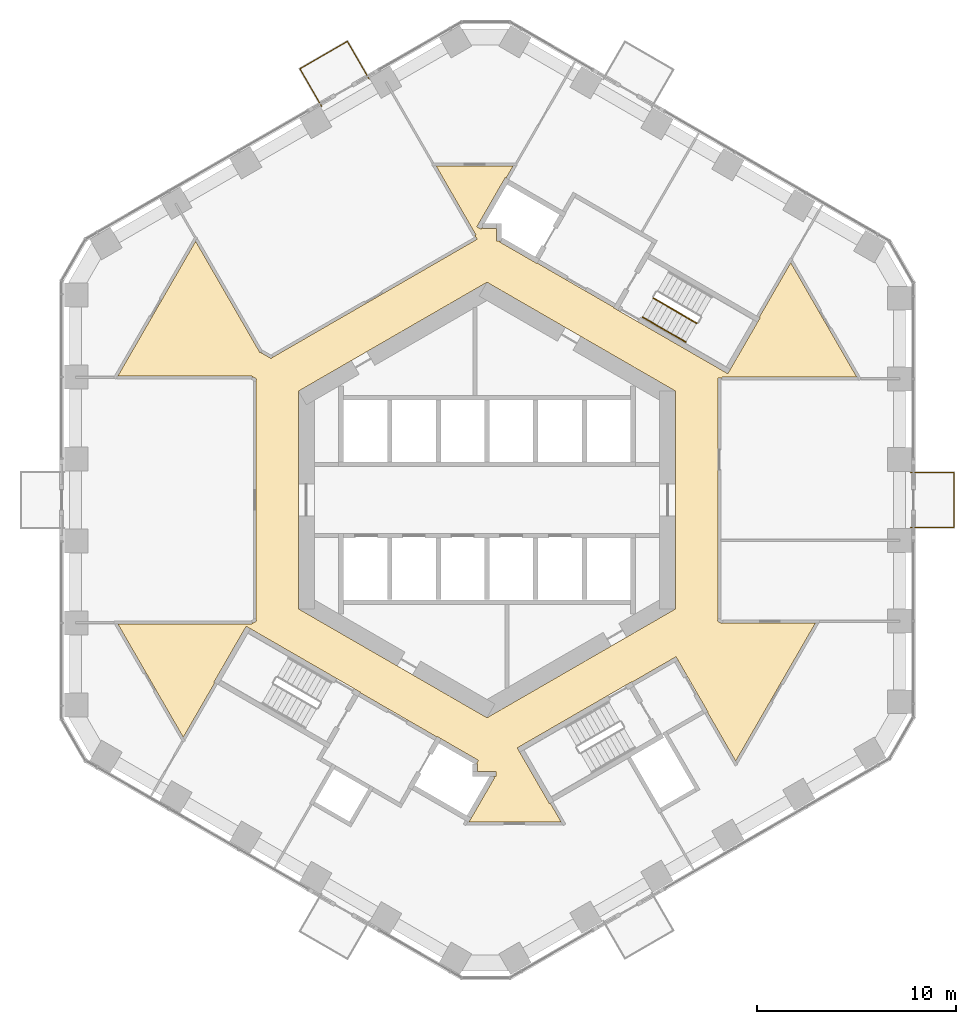
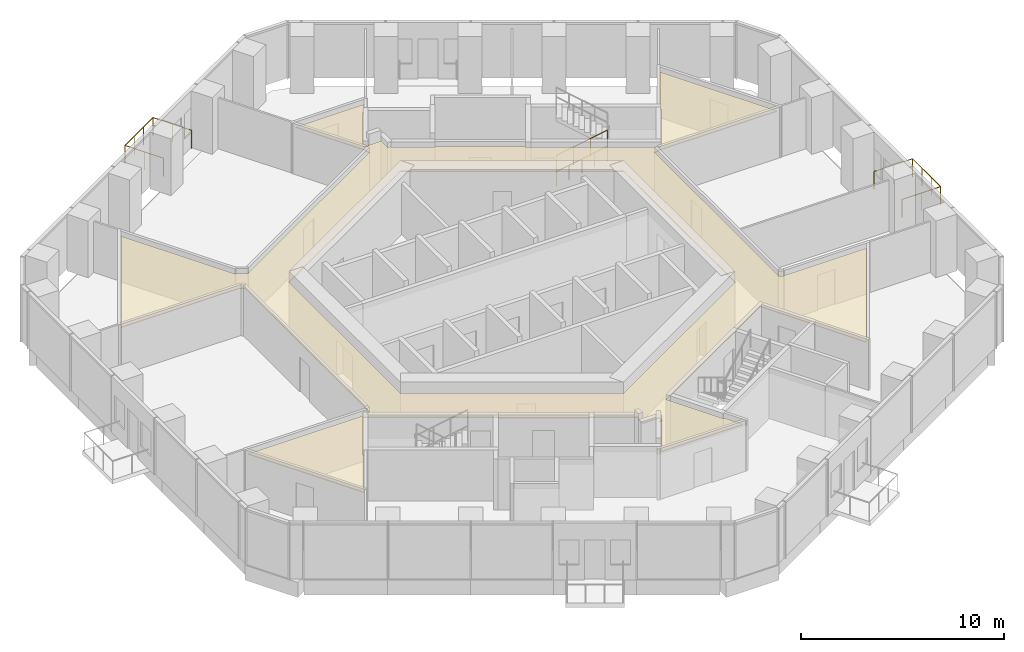
# One storey, part 19 of 20: 5 railings, 1 covering.
"""IFC4 building model written with IfcOpenShell, lengths in metres."""

from ifc_helpers import new_model, si_unit, direction, frame, origin, origin_2d, place, context, subcontext, project, spatial, polyline, circle, outline, extrude, material, layer, layer_set, type_object, element, save


model = new_model("IFC4")

# Units and contexts
model_context = context("Model", 3, precision=1e-05, world=origin(), true_north=direction((0.0, 1.0)))
body_context = subcontext(model_context, "Body", "Model", "MODEL_VIEW")
ifc_project = project(units=[si_unit("LENGTHUNIT", "METRE"), si_unit("AREAUNIT", "SQUARE_METRE"), si_unit("VOLUMEUNIT", "CUBIC_METRE"), si_unit("PLANEANGLEUNIT", "RADIAN"), si_unit("MASSUNIT", "GRAM", prefix="KILO")], contexts=[model_context])

# Site, building, storey
site_placement = place(None, origin())
site = spatial("IfcSite", under=ifc_project, at=site_placement, CompositionType="ELEMENT")
building_placement = place(site_placement, origin())
building = spatial("IfcBuilding", under=site, at=building_placement, Name="Ayvan Gate Tower", CompositionType="ELEMENT")
storey_placement = place(building_placement, frame((0.0, 0.0, 28.89990234375)))
storey = spatial("IfcBuildingStorey", under=building, at=storey_placement, Name="L06", CompositionType="ELEMENT", Elevation=28.89990234375)

# Railings
ifc_material_1 = material(Name="Stainless steel 316 and laminated glass", Category="steel")
railing_type_1 = type_object("IfcRailingType", Name="Balcony balustrade 1100", PredefinedType="BALUSTRADE", material=ifc_material_1)
railing_1_placement = place(storey_placement, frame((-5.93896484375, 21.2060546875, 0.0)))
element("IfcRailing", 1, at=railing_1_placement, inside=storey, type_object=railing_type_1, Name="Balcony balustrade BAL-L06-2", PredefinedType="BALUSTRADE", context=body_context, shape_type="SweptSolid", body=[
    extrude(circle(Radius=0.02490234375, at=origin_2d()), frame((0.0, 0.0, 1.0751953125), z_axis=(-0.500047297419, 0.865998094884, 0.0), x_axis=(-0.865998094884, -0.500047297419, 0.0)), (0.0, 0.0, 1.0), 2.190185546875),
    extrude(circle(Radius=0.02490234375, at=origin_2d()), frame((-1.09521484375, 1.896728515625, 1.0751953125), z_axis=(-0.866013213425, -0.500021113727, 0.0), x_axis=(0.500021113727, -0.866013213425, 0.0)), (0.0, 0.0, 1.0), 2.759765625),
    extrude(circle(Radius=0.02490234375, at=origin_2d()), frame((-3.485107421875, 0.516845703125, 1.0751953125), z_axis=(0.499963694393, -0.866046363822, 0.0), x_axis=(0.866046363822, 0.499963694393, 0.0)), (0.0, 0.0, 1.0), 2.190185546875),
    extrude(circle(Radius=0.02001953125, at=origin_2d()), origin(), (0.0, 0.0, 1.0), 1.050048828125),
    extrude(circle(Radius=0.02001953125, at=origin_2d()), frame((-0.547607421875, 0.9482421875, 0.0)), (0.0, 0.0, 1.0), 1.050048828125),
    extrude(circle(Radius=0.02001953125, at=origin_2d()), frame((-1.09521484375, 1.896728515625, 0.0)), (0.0, 0.0, 1.0), 1.050048828125),
    extrude(circle(Radius=0.02001953125, at=origin_2d()), frame((-1.891845703125, 1.436767578125, 0.0)), (0.0, 0.0, 1.0), 1.050048828125),
    extrude(circle(Radius=0.02001953125, at=origin_2d()), frame((-2.6884765625, 0.976806640625, 0.0)), (0.0, 0.0, 1.0), 1.050048828125),
    extrude(circle(Radius=0.02001953125, at=origin_2d()), frame((-3.485107421875, 0.516845703125, 0.0)), (0.0, 0.0, 1.0), 1.050048828125),
    extrude(circle(Radius=0.02001953125, at=origin_2d()), frame((-2.9375, -0.431640625, 0.0)), (0.0, 0.0, 1.0), 1.050048828125),
    extrude(circle(Radius=0.02001953125, at=origin_2d()), frame((-2.39013671875, -1.3798828125, 0.0)), (0.0, 0.0, 1.0), 1.050048828125),
])
railing_2_placement = place(storey_placement, frame((21.334716796875, -1.3798828125, 0.0)))
element("IfcRailing", 2, at=railing_2_placement, inside=storey, type_object=railing_type_1, Name="Balcony balustrade BAL-L06-0", PredefinedType="BALUSTRADE", context=body_context, shape_type="SweptSolid", body=[
    extrude(circle(Radius=0.02490234375, at=origin_2d()), frame((0.0, 0.0, 1.0751953125), z_axis=(1.0, 0.0, 0.0), x_axis=(0.0, 1.0, 0.0)), (0.0, 0.0, 1.0), 2.18994140625),
    extrude(circle(Radius=0.02490234375, at=origin_2d()), frame((2.18994140625, 0.0, 1.0751953125), z_axis=(0.0, 1.0, 0.0), x_axis=(-1.0, 0.0, 0.0)), (0.0, 0.0, 1.0), 2.759765625),
    extrude(circle(Radius=0.02490234375, at=origin_2d()), frame((2.18994140625, 2.759765625, 1.0751953125), z_axis=(-1.0, 0.0, 0.0), x_axis=(0.0, -1.0, 0.0)), (0.0, 0.0, 1.0), 2.18994140625),
    extrude(circle(Radius=0.02001953125, at=origin_2d()), origin(), (0.0, 0.0, 1.0), 1.050048828125),
    extrude(circle(Radius=0.02001953125, at=origin_2d()), frame((1.094970703125, 0.0, 0.0)), (0.0, 0.0, 1.0), 1.050048828125),
    extrude(circle(Radius=0.02001953125, at=origin_2d()), frame((2.18994140625, 0.0, 0.0)), (0.0, 0.0, 1.0), 1.050048828125),
    extrude(circle(Radius=0.02001953125, at=origin_2d()), frame((2.18994140625, 0.919921875, 0.0)), (0.0, 0.0, 1.0), 1.050048828125),
    extrude(circle(Radius=0.02001953125, at=origin_2d()), frame((2.18994140625, 1.83984375, 0.0)), (0.0, 0.0, 1.0), 1.050048828125),
    extrude(circle(Radius=0.02001953125, at=origin_2d()), frame((2.18994140625, 2.759765625, 0.0)), (0.0, 0.0, 1.0), 1.050048828125),
    extrude(circle(Radius=0.02001953125, at=origin_2d()), frame((1.094970703125, 2.759765625, 0.0)), (0.0, 0.0, 1.0), 1.050048828125),
    extrude(circle(Radius=0.02001953125, at=origin_2d()), frame((0.0, 2.759765625, 0.0)), (0.0, 0.0, 1.0), 1.050048828125),
])

# Covering
ifc_material_2 = material(Name="Plasterboard suspended ceiling")
ifc_layer = layer(ifc_material_2, 0.050048828125)
ifc_layer_set = layer_set([ifc_layer], Name="Plasterboard suspended ceiling")
covering_type = type_object("IfcCoveringType", Name="CT-SUSP-50", PredefinedType="CEILING", material=ifc_layer_set)
covering_placement = place(storey_placement, frame((0.0, 0.0, 2.7001953125)))
element("IfcCovering", 3, at=covering_placement, inside=storey, type_object=covering_type, Name="Ceiling Ring Corridor L06", PredefinedType="CEILING", context=body_context, shape_type="SweptSolid", body=[
    extrude(outline(polyline([(-11.914794921875, -6.48681640625), (-12.131103515625, -6.36181640625), (-13.756103515625, -9.17626953125), (-13.712890625, -9.201416015625), (-15.30078125, -11.95166015625), (-18.5888671875, -6.25634765625), (-11.831298828125, -6.25634765625), (-11.831298828125, -6.1611328125), (-11.803955078125, -6.208740234375), (-11.597412109375, -6.089599609375), (-11.656494140625, -5.9873046875), (-11.625, -5.9873046875), (-11.625, 5.9873046875), (-11.656494140625, 5.9873046875), (-11.597412109375, 6.089599609375), (-11.803955078125, 6.208740234375), (-11.831298828125, 6.1611328125), (-11.831298828125, 6.25634765625), (-18.5888671875, 6.25634765625), (-14.677001953125, 13.031982421875), (-11.43701171875, 7.420166015625), (-11.3544921875, 7.4677734375), (-11.382080078125, 7.420166015625), (-10.862548828125, 7.1201171875), (-10.803466796875, 7.22265625), (-10.78759765625, 7.1953125), (-0.49755859375, 13.135986328125), (-0.572509765625, 13.26611328125), (-0.60009765625, 13.250244140625), (-0.60009765625, 13.33349609375), (-0.55859375, 13.357177734375), (-2.56201171875, 16.82666015625), (1.314453125, 16.82666015625), (0.962158203125, 16.216552734375), (0.918701171875, 16.241455078125), (-0.511474609375, 13.76416015625), (-0.294921875, 13.63916015625), (-0.215576171875, 13.776611328125), (-0.215576171875, 13.68505859375), (0.47509765625, 13.68505859375), (0.47509765625, 13.03857421875), (0.672119140625, 13.03857421875), (0.645751953125, 12.992919921875), (2.518310546875, 11.91162109375), (2.53076171875, 11.933349609375), (6.384521484375, 9.70849609375), (6.3720703125, 9.686767578125), (6.588623046875, 9.561767578125), (12.131103515625, 6.36181640625), (12.24609375, 6.56103515625), (13.631103515625, 8.959716796875), (13.756103515625, 9.176513671875), (13.712890625, 9.201416015625), (15.30078125, 11.95166015625), (18.62451171875, 6.194580078125), (11.846923828125, 6.194580078125), (11.846923828125, 6.14697265625), (11.77490234375, 6.10546875), (11.77490234375, 6.13720703125), (11.625, 6.13720703125), (11.625, -5.9873046875), (11.65673828125, -5.9873046875), (11.597412109375, -6.089599609375), (11.826904296875, -6.22216796875), (11.843017578125, -6.194580078125), (16.546142578125, -6.194580078125), (12.529296875, -13.151611328125), (11.102294921875, -10.6796875), (11.123779296875, -10.667236328125), (9.623779296875, -8.069091796875), (9.52392578125, -7.89599609375), (7.2939453125, -9.183349609375), (7.281494140625, -9.16162109375), (1.522216796875, -12.48681640625), (1.647216796875, -12.703369140625), (3.147216796875, -15.30126953125), (3.190673828125, -15.2763671875), (3.7392578125, -16.2265625), (-0.910400390625, -16.2265625), (-0.803955078125, -16.042236328125), (0.386474609375, -13.980712890625), (0.30712890625, -13.93505859375), (0.465576171875, -13.93505859375), (0.465576171875, -13.68505859375), (-0.47509765625, -13.68505859375), (-0.47509765625, -13.28857421875), (-0.52783203125, -13.28857421875), (-0.42919921875, -13.117919921875), (-2.284423828125, -12.046630859375), (-2.518310546875, -11.91162109375), (-2.53076171875, -11.933349609375), (-6.384521484375, -9.70849609375), (-6.3720703125, -9.686767578125), (-11.91455078125, -6.48681640625), (-11.914794921875, -6.48681640625)]), holes=[polyline([(-2.808349609375, -9.34814453125), (0.0, -10.9697265625), (2.808349609375, -9.34814453125), (9.5, -5.48486328125), (9.5, 5.48486328125), (2.808349609375, 9.34814453125), (0.0, 10.9697265625), (-2.808349609375, 9.34814453125), (-9.5, 5.48486328125), (-9.5, -5.48486328125), (-2.808349609375, -9.34814453125)])]), origin(), (0.0, 0.0, 1.0), 0.0498046875),
])

# Railings
ifc_material_3 = material(Name="Stainless steel balustrade", Category="steel")
railing_type_2 = type_object("IfcRailingType", Name="RL-GUARD-1100", PredefinedType="GUARDRAIL", material=ifc_material_3)
railing_3_placement = place(storey_placement, frame((8.381103515625, 10.16650390625, 0.170166015625)))
element("IfcRailing", 4, at=railing_3_placement, inside=storey, type_object=railing_type_2, Name="L06 STS1 stair guard 1", PredefinedType="GUARDRAIL", context=body_context, shape_type="SweptSolid", body=[
    extrude(circle(Radius=0.02392578125, at=origin_2d()), frame((0.0, 0.0, 1.076171875), z_axis=(0.740261155115, -0.427395438142, 0.518986090067), x_axis=(0.500004791531, 0.866022637375, 0.0)), (0.0, 0.0, 1.0), 2.947998046875),
    extrude(circle(Radius=0.02099609375, at=origin_2d()), origin(), (0.0, 0.0, 1.0), 1.052001953125),
    extrude(circle(Radius=0.02099609375, at=origin_2d()), frame((0.7275390625, -0.419921875, 0.510009765625)), (0.0, 0.0, 1.0), 1.052001953125),
    extrude(circle(Radius=0.02099609375, at=origin_2d()), frame((1.454833984375, -0.840087890625, 1.02001953125)), (0.0, 0.0, 1.0), 1.052001953125),
    extrude(circle(Radius=0.02099609375, at=origin_2d()), frame((2.182373046875, -1.260009765625, 1.530029296875)), (0.0, 0.0, 1.0), 1.052001953125),
])
railing_type_3 = type_object("IfcRailingType", Name="RL-HANDRAIL-900", PredefinedType="HANDRAIL", material=ifc_material_3)
railing_4_placement = place(storey_placement, frame((7.8310546875, 9.2138671875, 0.170166015625)))
element("IfcRailing", 5, at=railing_4_placement, inside=storey, type_object=railing_type_3, Name="L06 STS1 stair handrail 1", PredefinedType="HANDRAIL", context=body_context, shape_type="SweptSolid", body=[
    extrude(circle(Radius=0.02392578125, at=origin_2d()), frame((0.0, 0.0, 0.8759765625), z_axis=(0.740356597536, -0.427319915356, 0.518912129772), x_axis=(0.499890179513, 0.866088799389, 0.0)), (0.0, 0.0, 1.0), 1.47412109375),
    extrude(circle(Radius=0.02099609375, at=origin_2d()), origin(), (0.0, 0.0, 1.0), 0.851806640625),
    extrude(circle(Radius=0.02099609375, at=origin_2d()), frame((0.545654296875, -0.31494140625, 0.38232421875)), (0.0, 0.0, 1.0), 0.851806640625),
    extrude(circle(Radius=0.02099609375, at=origin_2d()), frame((1.09130859375, -0.6298828125, 0.764892578125)), (0.0, 0.0, 1.0), 0.851806640625),
])
railing_5_placement = place(storey_placement, frame((8.92236328125, 8.583984375, 0.93505859375)))
element("IfcRailing", 6, at=railing_5_placement, inside=storey, type_object=railing_type_3, Name="L06 STS1 stair handrail 2", PredefinedType="HANDRAIL", context=body_context, shape_type="SweptSolid", body=[
    extrude(circle(Radius=0.02392578125, at=origin_2d()), frame((0.0, 0.0, 0.8759765625), z_axis=(0.740165700939, -0.427470949681, 0.519060037311), x_axis=(0.50011940292, 0.865956455501, 0.0)), (0.0, 0.0, 1.0), 1.47412109375),
    extrude(circle(Radius=0.02099609375, at=origin_2d()), origin(), (0.0, 0.0, 1.0), 0.851806640625),
    extrude(circle(Radius=0.02099609375, at=origin_2d()), frame((0.54541015625, -0.31494140625, 0.382568359375)), (0.0, 0.0, 1.0), 0.851806640625),
    extrude(circle(Radius=0.02099609375, at=origin_2d()), frame((1.091064453125, -0.630126953125, 0.76513671875)), (0.0, 0.0, 1.0), 0.851806640625),
])

save(model, "model.ifc")
